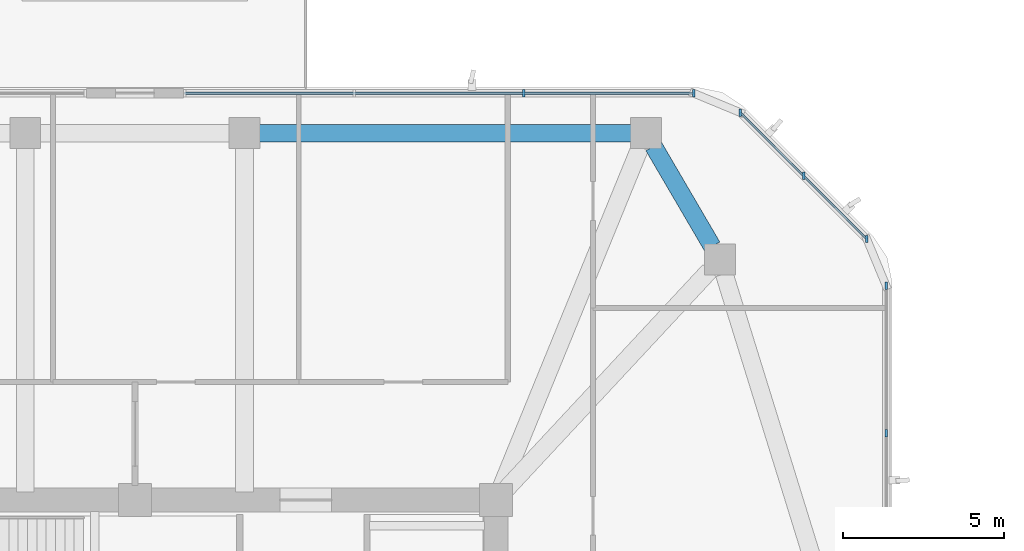
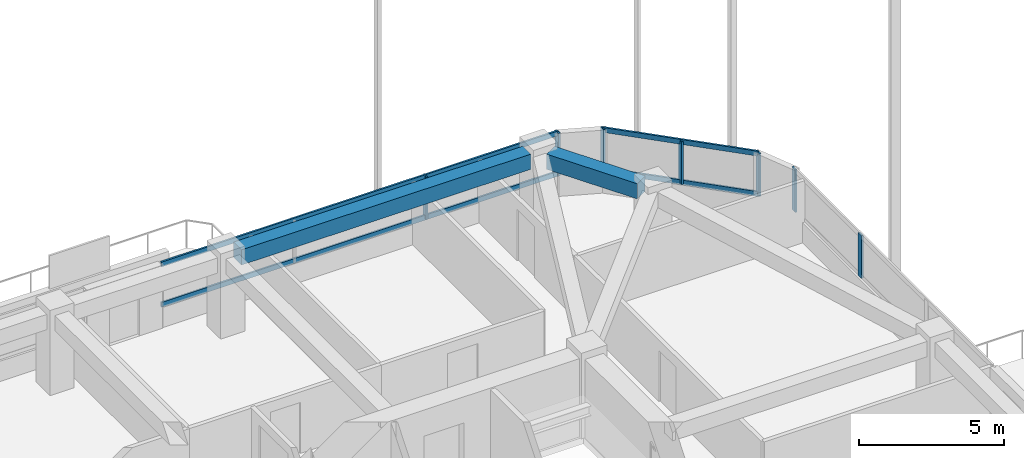
# One storey, part 6 of 14: 11 members, 2 beams, 3 elements without a shape of their own.
"""IFC4 building model written with IfcOpenShell, lengths in metres."""

import ifcopenshell
import ifcopenshell.guid

model = None  # the IFC model being written
_history = None  # IfcOwnerHistory: only IFC2X3 demands one
_inside = {}  # id of a spatial element -> (the spatial element, [elements in it])
_under = {}  # id of a project, library or spatial element -> (it, [spatial elements below it])
_declared = {}  # id of a project -> (the project, [libraries it declares])
_typed = {}  # id of a type object -> (the type object, [elements of that type])
_made_of = {}  # id of a material, layer set ... -> (it, [elements and type objects made of it])


def new_model(schema):
    """Start an empty IFC model of exactly this schema.

    Asked for "IFC4X3", IfcOpenShell would pick the latest addendum, in which some entities
    have other attributes; the version numbers below select the first issue.
    IFC2X3 requires an IfcOwnerHistory on every rooted entity: one is made here for all.
    """
    global model, _history
    if schema == "IFC4X3":
        model = ifcopenshell.file(schema_version=(4, 3, 0, 0))
    else:
        model = ifcopenshell.file(schema=schema)
    _inside.clear()
    _under.clear()
    _declared.clear()
    _typed.clear()
    _made_of.clear()
    _history = None
    if model.schema == "IFC2X3":
        org = make("IfcOrganization", Name="unknown")
        user = make(
            "IfcPersonAndOrganization",
            ThePerson=make("IfcPerson", FamilyName="unknown"),
            TheOrganization=org,
        )
        app = make(
            "IfcApplication",
            ApplicationDeveloper=org,
            Version="unknown",
            ApplicationFullName="unknown",
            ApplicationIdentifier="unknown",
        )
        _history = make(
            "IfcOwnerHistory",
            OwningUser=user,
            OwningApplication=app,
            ChangeAction="ADDED",
            CreationDate=0,
        )
    return model


def make(cls, **values):
    """One entity of the class cls with the attributes given. An attribute that is None is left unset."""
    return model.create_entity(
        cls, **{name: value for name, value in values.items() if value is not None}
    )


def rooted(cls, **values):
    """An entity with a GlobalId (a new one), such as an element, a storey or a relation."""
    return make(cls, GlobalId=ifcopenshell.guid.new(), OwnerHistory=_history, **values)


def si_unit(unit_type, name, prefix=None):
    """IfcSIUnit, for example si_unit("LENGTHUNIT", "METRE", prefix="MILLI")."""
    return make("IfcSIUnit", UnitType=unit_type, Prefix=prefix, Name=name)


def derived_unit(unit_type, elements):
    """IfcDerivedUnit: a product of units, each with its exponent."""
    return make(
        "IfcDerivedUnit",
        Elements=[
            make("IfcDerivedUnitElement", Unit=unit, Exponent=power)
            for unit, power in elements
        ],
        UnitType=unit_type,
    )


def assignment(units):
    """IfcUnitAssignment: the units of a project."""
    return None if units is None else make("IfcUnitAssignment", Units=units)


def point(xyz):
    """IfcCartesianPoint."""
    return None if xyz is None else make("IfcCartesianPoint", Coordinates=xyz)


def direction(xyz):
    """IfcDirection."""
    return None if xyz is None else make("IfcDirection", DirectionRatios=xyz)


def frame(location, z_axis=None, x_axis=None):
    """IfcAxis2Placement3D, a coordinate frame: its origin and axes. An axis left out is left unset."""
    return make(
        "IfcAxis2Placement3D",
        Location=point(location),
        Axis=direction(z_axis),
        RefDirection=direction(x_axis),
    )


def frame_2d(location, x_axis=None):
    """IfcAxis2Placement2D, a coordinate frame in the plane: its origin and x axis."""
    return make(
        "IfcAxis2Placement2D", Location=point(location), RefDirection=direction(x_axis)
    )


def origin():
    """The frame at (0, 0, 0) with its axes left unset."""
    return frame((0.0, 0.0, 0.0))


def origin_2d():
    """The frame at (0, 0) in the plane with its x axis left unset."""
    return frame_2d((0.0, 0.0))


def place(relative_to, where):
    """IfcLocalPlacement: puts the frame where relative to a parent placement (None: the world)."""
    return make(
        "IfcLocalPlacement", PlacementRelTo=relative_to, RelativePlacement=where
    )


def context(
    kind, dimensions, precision=None, world=None, true_north=None, identifier=None
):
    """IfcGeometricRepresentationContext, for example the 3D "Model" context."""
    return make(
        "IfcGeometricRepresentationContext",
        ContextIdentifier=identifier,
        ContextType=kind,
        CoordinateSpaceDimension=dimensions,
        Precision=precision,
        WorldCoordinateSystem=world,
        TrueNorth=true_north,
    )


def subcontext(parent, identifier, kind, view, scale=None):
    """IfcGeometricRepresentationSubContext, for example "Body" below "Model"."""
    return make(
        "IfcGeometricRepresentationSubContext",
        ContextIdentifier=identifier,
        ContextType=kind,
        ParentContext=parent,
        TargetScale=scale,
        TargetView=view,
    )


def project(units=None, contexts=None):
    """IfcProject with its units and contexts."""
    return rooted(
        "IfcProject",
        Name="project",
        RepresentationContexts=contexts,
        UnitsInContext=assignment(units),
    )


def spatial(cls, under=None, at=None, **own):
    """A site, building, storey or space (cls), placed at a placement, below another one or the project."""
    s = rooted(cls, ObjectPlacement=at, **own)
    if under is not None:
        _under.setdefault(under.id(), (under, []))[1].append(s)
    return s


def profile(cls, at=None, kind="AREA", **sizes):
    """A parametric profile (cls). Its sizes go by their IFC names, for example OverallWidth=200.0."""
    return make(cls, ProfileType=kind, Position=at, **sizes)


def rectangle(**sizes):
    """IfcRectangleProfileDef."""
    return profile("IfcRectangleProfileDef", **sizes)


def extrude(swept, where, along, depth):
    """IfcExtrudedAreaSolid: the profile swept, set in the frame where, extruded along a direction by depth."""
    return make(
        "IfcExtrudedAreaSolid",
        SweptArea=swept,
        Position=where,
        ExtrudedDirection=direction(along),
        Depth=depth,
    )


def shape(context_of_items, identifier, shape_type, items):
    """IfcShapeRepresentation: the items that make up one representation, for example the "Body"."""
    return make(
        "IfcShapeRepresentation",
        ContextOfItems=context_of_items,
        RepresentationIdentifier=identifier,
        RepresentationType=shape_type,
        Items=items,
    )


def material(Name=None, Category=None):
    """IfcMaterial."""
    return make("IfcMaterial", Name=Name, Category=Category)


def material_profile(
    of_material, cross_section, Name=None, Category=None, Priority=None
):
    """IfcMaterialProfile: a cross section and its material."""
    return make(
        "IfcMaterialProfile",
        Name=Name,
        Material=of_material,
        Profile=cross_section,
        Priority=Priority,
        Category=Category,
    )


def profile_set(profiles, Name=None, composite=None):
    """IfcMaterialProfileSet."""
    return make(
        "IfcMaterialProfileSet",
        Name=Name,
        MaterialProfiles=profiles,
        CompositeProfile=composite,
    )


def made_of(thing, what):
    """Note that an element or type object is made of a material, layer set ...; save() writes the relation."""
    if what is not None:
        _made_of.setdefault(what.id(), (what, []))[1].append(thing)
    return thing


def type_object(cls, material=None, **own):
    """A type object (cls), such as IfcWallType, which elements share."""
    return made_of(rooted(cls, **own), material)


def element(
    cls,
    number,
    at=None,
    inside=None,
    cuts=None,
    type_object=None,
    material=None,
    context=None,
    identifier="Body",
    shape_type=None,
    held_by="IfcProductDefinitionShape",
    body=None,
    shapes=None,
    **own,
):
    """One element of the class cls, such as IfcWall. Its Tag is "e" and its number.

    at: its placement. inside: the storey or other place that contains it. cuts: it is an
    opening in that element (IfcRelVoidsElement). A single representation is given by context,
    identifier, shape_type and body (its items); several are given by shapes. held_by: the class
    of the entity that holds the representations. save() writes the other relations.
    """
    e = rooted(cls, Tag="e%d" % number, ObjectPlacement=at, **own)
    if body is not None:
        shapes = [shape(context, identifier, shape_type, body)]
    if shapes is not None:
        e.Representation = make(held_by, Representations=shapes)
    if inside is not None:
        _inside.setdefault(inside.id(), (inside, []))[1].append(e)
    if cuts is not None:
        rooted(
            "IfcRelVoidsElement", RelatingBuildingElement=cuts, RelatedOpeningElement=e
        )
    if type_object is not None:
        _typed.setdefault(type_object.id(), (type_object, []))[1].append(e)
    return made_of(e, material)


def aggregate(whole, parts):
    """IfcRelAggregates: a whole, such as a stair, and the parts it consists of."""
    return rooted("IfcRelAggregates", RelatingObject=whole, RelatedObjects=parts)


def save(model, path):
    """Write the relations noted so far, then the file.

    IfcRelAggregates (storeys below a building ...), IfcRelContainedInSpatialStructure (elements
    in a storey), IfcRelDefinesByType, IfcRelAssociatesMaterial and IfcRelDeclares: one each for
    every whole, place, type object, material and project.
    """
    for whole, parts in _under.values():
        aggregate(whole, parts)
    for where, things in _inside.values():
        rooted(
            "IfcRelContainedInSpatialStructure",
            RelatedElements=things,
            RelatingStructure=where,
        )
    for kind, things in _typed.values():
        rooted("IfcRelDefinesByType", RelatedObjects=things, RelatingType=kind)
    for what, things in _made_of.values():
        rooted("IfcRelAssociatesMaterial", RelatedObjects=things, RelatingMaterial=what)
    for by, libraries in _declared.values():
        rooted("IfcRelDeclares", RelatingContext=by, RelatedDefinitions=libraries)
    model.write(path)


model = new_model("IFC4")

# Units and contexts
model_context = context("Model", 3, precision=1e-05, world=origin(), true_north=direction((0.0, 1.0)))
body_context = subcontext(model_context, "Body", "Model", "MODEL_VIEW")
ifc_project = project(units=[si_unit("LENGTHUNIT", "METRE"), si_unit("AREAUNIT", "SQUARE_METRE"), si_unit("VOLUMEUNIT", "CUBIC_METRE"), si_unit("PLANEANGLEUNIT", "RADIAN"), si_unit("MASSUNIT", "GRAM", prefix="KILO"), derived_unit("THERMALTRANSMITTANCEUNIT", [(si_unit("POWERUNIT", "WATT"), 1), (si_unit("LENGTHUNIT", "METRE"), -2), (si_unit("THERMODYNAMICTEMPERATUREUNIT", "KELVIN"), -1)])], contexts=[model_context])

# Site, building, storey
site_placement = place(None, origin())
site = spatial("IfcSite", under=ifc_project, at=site_placement, CompositionType="ELEMENT")
building_placement = place(site_placement, origin())
building = spatial("IfcBuilding", under=site, at=building_placement, Name="Koralith Skygarden Medical Center", CompositionType="ELEMENT")
storey_placement = place(building_placement, frame((0.0, 0.0, 174.419921875)))
storey = spatial("IfcBuildingStorey", under=building, at=storey_placement, Name="L45", CompositionType="ELEMENT", Elevation=174.419921875)

# Curtain wall, members
ifc_material_1 = material(Name="Clear Laminated Glass", Category="glass")
curtain_wall_type = type_object("IfcCurtainWallType", Name="CW-4 Zone 3 Waist High-Wind Curtain Wall", PredefinedType="NOTDEFINED", material=ifc_material_1)
curtain_wall_1_placement = place(storey_placement, origin())
curtain_wall_1 = element("IfcCurtainWall", 1, at=curtain_wall_1_placement, inside=storey, type_object=curtain_wall_type, Name="Curtain Wall CW-L45-E-R", PredefinedType="NOTDEFINED")
ifc_material_2 = material(Name="Aluminium 6063-T6", Category="aluminium")
ifc_material_profile_1 = material_profile(ifc_material_2, rectangle(XDim=0.076904296875, YDim=0.22998046875, at=origin_2d()), Name="MUL77X230")
ifc_profile_set_1 = profile_set([ifc_material_profile_1], Name="Aluminium 6063-T6")
member_type_1 = type_object("IfcMemberType", Name="CW-4 Extruded Mullion 77x230", PredefinedType="MULLION", material=ifc_profile_set_1)
member_1_placement = place(storey_placement, frame((60.303955078125, 36.576904296875, 0.85009765625), z_axis=(0.0, 0.0, 1.0), x_axis=(1.0, 0.0, 0.0)))
member_1 = element("IfcMember", 2, at=member_1_placement, type_object=member_type_1, Name="CW-L45-E-R Mullion 3", PredefinedType="MULLION", context=body_context, shape_type="SweptSolid", body=[
    extrude(rectangle(XDim=0.076904296875, YDim=0.22998046875, at=origin_2d()), origin(), (0.0, 0.0, 1.0), 1.800048828125),
])
member_2_placement = place(storey_placement, frame((60.303955078125, 41.14501953125, 0.85009765625), z_axis=(0.0, 0.0, 1.0), x_axis=(1.0, 0.0, 0.0)))
member_2 = element("IfcMember", 3, at=member_2_placement, type_object=member_type_1, Name="CW-L45-E-R Mullion 4", PredefinedType="MULLION", context=body_context, shape_type="SweptSolid", body=[
    extrude(rectangle(XDim=0.076904296875, YDim=0.22998046875, at=origin_2d()), origin(), (0.0, 0.0, 1.0), 1.800048828125),
])
aggregate(curtain_wall_1, [member_1, member_2])

curtain_wall_2_placement = place(storey_placement, origin())
curtain_wall_2 = element("IfcCurtainWall", 4, at=curtain_wall_2_placement, inside=storey, type_object=curtain_wall_type, Name="Curtain Wall CW-L45-NE", PredefinedType="NOTDEFINED")
member_3_placement = place(storey_placement, frame((59.702880859375, 42.595947265625, 0.85009765625), z_axis=(0.0, 0.0, 1.0), x_axis=(1.0, 0.0, 0.0)))
member_3 = element("IfcMember", 5, at=member_3_placement, type_object=member_type_1, Name="CW-L45-NE Mullion 1", PredefinedType="MULLION", context=body_context, shape_type="SweptSolid", body=[
    extrude(rectangle(XDim=0.076904296875, YDim=0.22998046875, at=origin_2d()), origin(), (0.0, 0.0, 1.0), 1.800048828125),
])
member_4_placement = place(storey_placement, frame((57.741943359375, 44.556884765625, 0.85009765625), z_axis=(0.0, 0.0, 1.0), x_axis=(1.0, 0.0, 0.0)))
member_4 = element("IfcMember", 6, at=member_4_placement, type_object=member_type_1, Name="CW-L45-NE Mullion 2", PredefinedType="MULLION", context=body_context, shape_type="SweptSolid", body=[
    extrude(rectangle(XDim=0.076904296875, YDim=0.22998046875, at=origin_2d()), origin(), (0.0, 0.0, 1.0), 1.800048828125),
])
member_5_placement = place(storey_placement, frame((55.780029296875, 46.51904296875, 0.85009765625), z_axis=(0.0, 0.0, 1.0), x_axis=(1.0, 0.0, 0.0)))
member_5 = element("IfcMember", 7, at=member_5_placement, type_object=member_type_1, Name="CW-L45-NE Mullion 3", PredefinedType="MULLION", context=body_context, shape_type="SweptSolid", body=[
    extrude(rectangle(XDim=0.076904296875, YDim=0.22998046875, at=origin_2d()), origin(), (0.0, 0.0, 1.0), 1.800048828125),
])

curtain_wall_3_placement = place(storey_placement, origin())
curtain_wall_3 = element("IfcCurtainWall", 8, at=curtain_wall_3_placement, inside=storey, type_object=curtain_wall_type, Name="Curtain Wall CW-L45-N-L", PredefinedType="NOTDEFINED")
member_6_placement = place(storey_placement, frame((54.3291015625, 47.1201171875, 0.85009765625), z_axis=(0.0, 0.0, 1.0), x_axis=(1.0, 0.0, 0.0)))
member_6 = element("IfcMember", 9, at=member_6_placement, type_object=member_type_1, Name="CW-L45-N-L Mullion 1", PredefinedType="MULLION", context=body_context, shape_type="SweptSolid", body=[
    extrude(rectangle(XDim=0.076904296875, YDim=0.22998046875, at=origin_2d()), origin(), (0.0, 0.0, 1.0), 1.800048828125),
])
member_7_placement = place(storey_placement, frame((49.06591796875, 47.1201171875, 0.85009765625), z_axis=(0.0, 0.0, 1.0), x_axis=(1.0, 0.0, 0.0)))
member_7 = element("IfcMember", 10, at=member_7_placement, type_object=member_type_1, Name="CW-L45-N-L Mullion 2", PredefinedType="MULLION", context=body_context, shape_type="SweptSolid", body=[
    extrude(rectangle(XDim=0.076904296875, YDim=0.22998046875, at=origin_2d()), origin(), (0.0, 0.0, 1.0), 1.800048828125),
])

# Member
ifc_material_profile_2 = material_profile(ifc_material_2, rectangle(XDim=0.072021484375, YDim=0.20703125, at=origin_2d()), Name="TRN72X207")
ifc_profile_set_2 = profile_set([ifc_material_profile_2], Name="Aluminium 6063-T6")
member_type_2 = type_object("IfcMemberType", Name="CW-4 Thermal Transom 72x207", PredefinedType="USERDEFINED", material=ifc_profile_set_2)
member_8_placement = place(storey_placement, frame((59.702880859375, 42.595947265625, 0.900146484375), z_axis=(-0.707084777957, 0.707128783731, 0.0), x_axis=(-0.707128783731, -0.707084777957, 0.0)))
member_8 = element("IfcMember", 11, at=member_8_placement, type_object=member_type_2, Name="CW-L45-NE Transom 1", ObjectType="TRANSOM", PredefinedType="USERDEFINED", context=body_context, shape_type="SweptSolid", body=[
    extrude(rectangle(XDim=0.072021484375, YDim=0.20703125, at=origin_2d()), origin(), (0.0, 0.0, 1.0), 5.5478515625),
])

member_9_placement = place(storey_placement, frame((59.702880859375, 42.595947265625, 2.60009765625), z_axis=(-0.707084777957, 0.707128783731, 0.0), x_axis=(-0.707128783731, -0.707084777957, 0.0)))
member_9 = element("IfcMember", 12, at=member_9_placement, type_object=member_type_2, Name="CW-L45-NE Transom 2", ObjectType="TRANSOM", PredefinedType="USERDEFINED", context=body_context, shape_type="SweptSolid", body=[
    extrude(rectangle(XDim=0.072021484375, YDim=0.20703125, at=origin_2d()), origin(), (0.0, 0.0, 1.0), 5.5478515625),
])

aggregate(curtain_wall_2, [member_3, member_4, member_5, member_8, member_9])

member_10_placement = place(storey_placement, frame((54.3291015625, 47.1201171875, 0.900146484375), z_axis=(-1.0, 0.0, 0.0), x_axis=(0.0, -1.0, 0.0)))
member_10 = element("IfcMember", 13, at=member_10_placement, type_object=member_type_2, Name="CW-L45-N-L Transom 1", ObjectType="TRANSOM", PredefinedType="USERDEFINED", context=body_context, shape_type="SweptSolid", body=[
    extrude(rectangle(XDim=0.072021484375, YDim=0.20703125, at=origin_2d()), origin(), (0.0, 0.0, 1.0), 15.7880859375),
])

member_11_placement = place(storey_placement, frame((54.3291015625, 47.1201171875, 2.60009765625), z_axis=(-1.0, 0.0, 0.0), x_axis=(0.0, -1.0, 0.0)))
member_11 = element("IfcMember", 14, at=member_11_placement, type_object=member_type_2, Name="CW-L45-N-L Transom 2", ObjectType="TRANSOM", PredefinedType="USERDEFINED", context=body_context, shape_type="SweptSolid", body=[
    extrude(rectangle(XDim=0.072021484375, YDim=0.20703125, at=origin_2d()), origin(), (0.0, 0.0, 1.0), 15.7880859375),
])

aggregate(curtain_wall_3, [member_6, member_7, member_10, member_11])

# Beams
ifc_material_3 = material(Name="Concrete C45/55", Category="concrete")
ifc_material_profile_3 = material_profile(ifc_material_3, rectangle(XDim=0.550048828125, YDim=0.639892578125, at=origin_2d()), Name="RCB550X640")
ifc_profile_set_3 = profile_set([ifc_material_profile_3], Name="Concrete C45/55")
beam_type = type_object("IfcBeamType", Name="Zone 2-3 Spandrel Beam RCB550X640", PredefinedType="SPANDREL", material=ifc_profile_set_3)
beam_1_placement = place(storey_placement, frame((54.906982421875, 42.365966796875, 2.97998046875), z_axis=(-0.504861391295, 0.863200426077, 0.0), x_axis=(-0.863200426077, -0.504861391295, 0.0)))
element("IfcBeam", 15, at=beam_1_placement, inside=storey, type_object=beam_type, Name="L45 Perimeter Spandrel Beam SP-10", PredefinedType="SPANDREL", context=body_context, shape_type="SweptSolid", body=[
    extrude(rectangle(XDim=0.550048828125, YDim=0.639892578125, at=origin_2d()), origin(), (0.0, 0.0, 1.0), 3.600830078125),
])
beam_2_placement = place(storey_placement, frame((52.382080078125, 45.8798828125, 2.97998046875), z_axis=(-1.0, 0.0, 0.0), x_axis=(0.0, -1.0, 0.0)))
element("IfcBeam", 16, at=beam_2_placement, inside=storey, type_object=beam_type, Name="L45 Perimeter Spandrel Beam SP-11", PredefinedType="SPANDREL", context=body_context, shape_type="SweptSolid", body=[
    extrude(rectangle(XDim=0.550048828125, YDim=0.639892578125, at=origin_2d()), origin(), (0.0, 0.0, 1.0), 11.511962890625),
])

save(model, "model.ifc")
